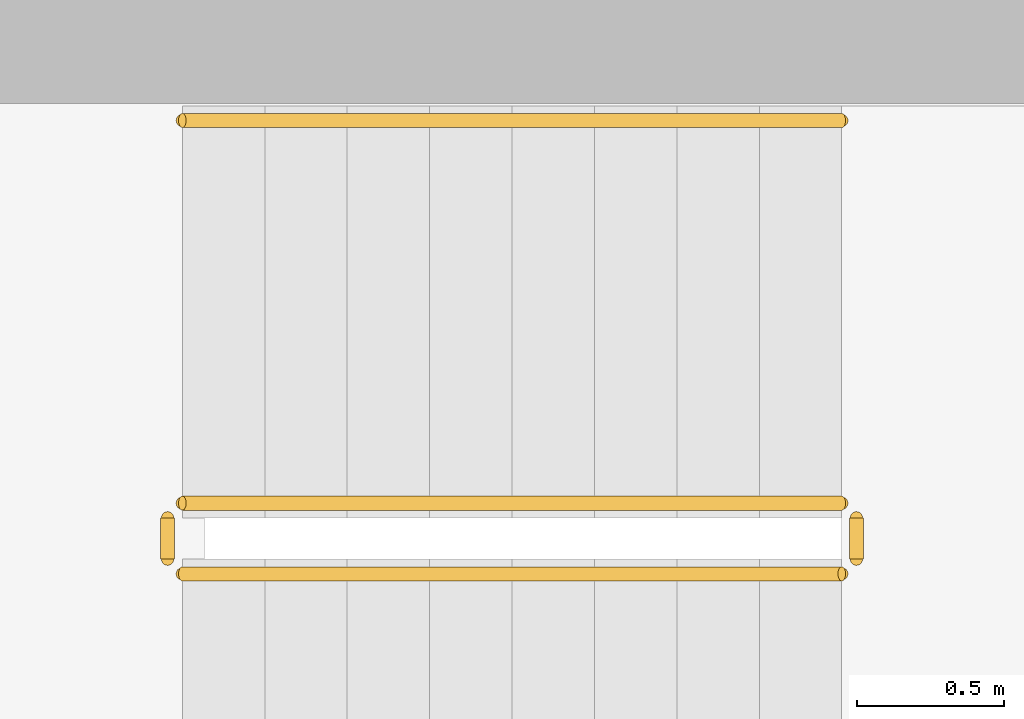
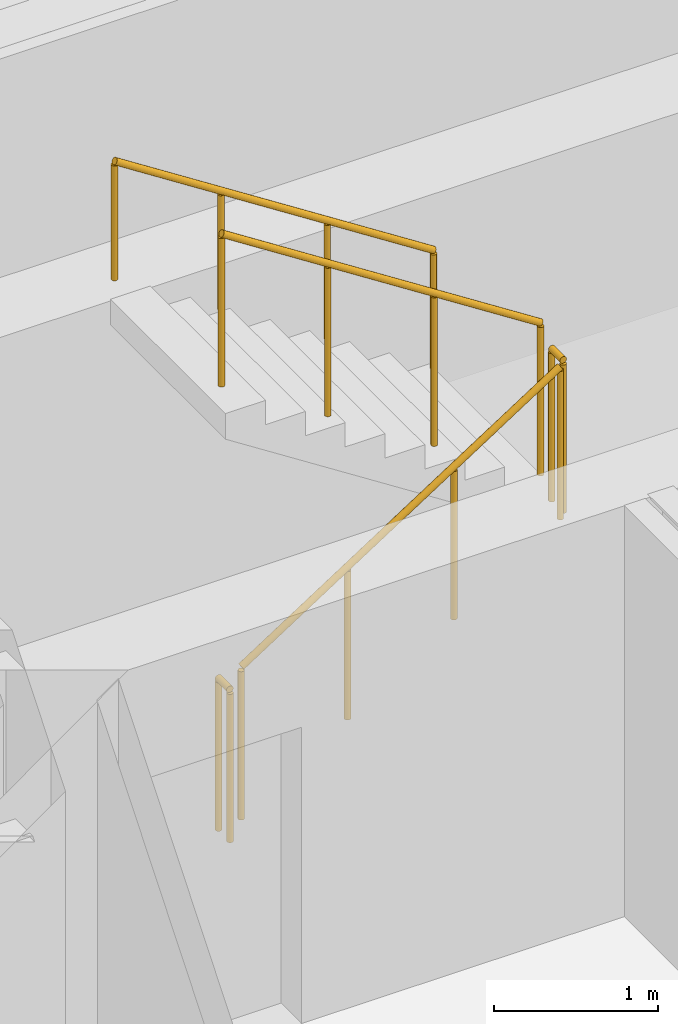
# One storey, part 22 of 26: 5 railings.
"""IFC4 building model written with IfcOpenShell, lengths in metres."""

from ifc_helpers import new_model, si_unit, direction, frame, origin, origin_2d, place, context, subcontext, project, spatial, circle, extrude, material, type_object, element, save


model = new_model("IFC4")

# Units and contexts
model_context = context("Model", 3, precision=1e-05, world=origin(), true_north=direction((0.0, 1.0)))
body_context = subcontext(model_context, "Body", "Model", "MODEL_VIEW")
ifc_project = project(units=[si_unit("LENGTHUNIT", "METRE"), si_unit("AREAUNIT", "SQUARE_METRE"), si_unit("VOLUMEUNIT", "CUBIC_METRE"), si_unit("PLANEANGLEUNIT", "RADIAN"), si_unit("MASSUNIT", "GRAM", prefix="KILO")], contexts=[model_context])

# Site, building, storey
site_placement = place(None, origin())
site = spatial("IfcSite", under=ifc_project, at=site_placement, CompositionType="ELEMENT")
building_placement = place(site_placement, origin())
building = spatial("IfcBuilding", under=site, at=building_placement, Name="Mirazonda Arch Towers", CompositionType="ELEMENT")
storey_placement = place(building_placement, frame((0.0, 0.0, 203.14990234375)))
storey = spatial("IfcBuildingStorey", under=building, at=storey_placement, Name="L58", CompositionType="ELEMENT", Elevation=203.14990234375)

# Railings
ifc_material = material(Name="Architectural Brushed Steel S355", Category="steel")
railing_type_1 = type_object("IfcRailingType", Name="GUARD-STAIR-1120", PredefinedType="GUARDRAIL", material=ifc_material)
railing_1_placement = place(storey_placement, frame((13.85009765625, 39.169921875, 0.1806640625)))
element("IfcRailing", 1, at=railing_1_placement, inside=storey, type_object=railing_type_1, Name="L58 ST-T1N stair guard 1", PredefinedType="GUARDRAIL", context=body_context, shape_type="SweptSolid", body=[
    extrude(circle(Radius=0.02392578125, at=origin_2d()), frame((0.0, 0.0, 1.1259765625), z_axis=(0.840436612492, 0.0, 0.541909863706), x_axis=(0.0, 1.0, 0.0)), (0.0, 0.0, 1.0), 2.665283203125),
    extrude(circle(Radius=0.02099609375, at=origin_2d()), origin(), (0.0, 0.0, 1.0), 1.101806640625),
    extrude(circle(Radius=0.02099609375, at=origin_2d()), frame((0.74658203125, 0.0, 0.4814453125)), (0.0, 0.0, 1.0), 1.101806640625),
    extrude(circle(Radius=0.02099609375, at=origin_2d()), frame((1.493408203125, 0.0, 0.962890625)), (0.0, 0.0, 1.0), 1.101806640625),
    extrude(circle(Radius=0.02099609375, at=origin_2d()), frame((2.239990234375, 0.0, 1.4443359375)), (0.0, 0.0, 1.0), 1.101806640625),
])
railing_2_placement = place(storey_placement, frame((16.139892578125, 39.219970703125, 1.625)))
element("IfcRailing", 2, at=railing_2_placement, inside=storey, type_object=railing_type_1, Name="L58 ST-T1N stair guard 2", PredefinedType="GUARDRAIL", context=body_context, shape_type="SweptSolid", body=[
    extrude(circle(Radius=0.02392578125, at=origin_2d()), frame((0.0, 0.0, 1.1259765625), z_axis=(0.0, 1.0, 0.0), x_axis=(-1.0, 0.0, 0.0)), (0.0, 0.0, 1.0), 0.14013671875),
    extrude(circle(Radius=0.02099609375, at=origin_2d()), origin(), (0.0, 0.0, 1.0), 1.101806640625),
    extrude(circle(Radius=0.02099609375, at=origin_2d()), frame((0.0, 0.14013671875, 0.0)), (0.0, 0.0, 1.0), 1.101806640625),
])
railing_3_placement = place(storey_placement, frame((16.090087890625, 39.409912109375, 1.8056640625)))
element("IfcRailing", 3, at=railing_3_placement, inside=storey, type_object=railing_type_1, Name="L58 ST-T1N stair guard 3", PredefinedType="GUARDRAIL", context=body_context, shape_type="SweptSolid", body=[
    extrude(circle(Radius=0.02392578125, at=origin_2d()), frame((0.0, 0.0, 1.1259765625), z_axis=(-0.840436612492, 0.0, 0.541909863706), x_axis=(0.0, -1.0, 0.0)), (0.0, 0.0, 1.0), 2.665283203125),
    extrude(circle(Radius=0.02099609375, at=origin_2d()), origin(), (0.0, 0.0, 1.0), 1.101806640625),
    extrude(circle(Radius=0.02099609375, at=origin_2d()), frame((-0.74658203125, 0.0, 0.4814453125)), (0.0, 0.0, 1.0), 1.101806640625),
    extrude(circle(Radius=0.02099609375, at=origin_2d()), frame((-1.493408203125, 0.0, 0.962890625)), (0.0, 0.0, 1.0), 1.101806640625),
    extrude(circle(Radius=0.02099609375, at=origin_2d()), frame((-2.239990234375, 0.0, 1.4443359375)), (0.0, 0.0, 1.0), 1.101806640625),
])
railing_4_placement = place(storey_placement, frame((13.800048828125, 39.219970703125, 0.0)))
element("IfcRailing", 4, at=railing_4_placement, inside=storey, type_object=railing_type_1, Name="L58 ST-T1N stair guard 4", PredefinedType="GUARDRAIL", context=body_context, shape_type="SweptSolid", body=[
    extrude(circle(Radius=0.02392578125, at=origin_2d()), frame((0.0, 0.0, 1.1259765625), z_axis=(0.0, 1.0, 0.0), x_axis=(-1.0, 0.0, 0.0)), (0.0, 0.0, 1.0), 0.14013671875),
    extrude(circle(Radius=0.02099609375, at=origin_2d()), origin(), (0.0, 0.0, 1.0), 1.101806640625),
    extrude(circle(Radius=0.02099609375, at=origin_2d()), frame((0.0, 0.14013671875, 0.0)), (0.0, 0.0, 1.0), 1.101806640625),
])
railing_type_2 = type_object("IfcRailingType", Name="HANDRAIL-915", PredefinedType="HANDRAIL", material=ifc_material)
railing_5_placement = place(storey_placement, frame((16.090087890625, 40.7099609375, 1.8056640625)))
element("IfcRailing", 5, at=railing_5_placement, inside=storey, type_object=railing_type_2, Name="L58 ST-T1N stair handrail 2", PredefinedType="HANDRAIL", context=body_context, shape_type="SweptSolid", body=[
    extrude(circle(Radius=0.02392578125, at=origin_2d()), frame((0.0, 0.0, 0.8759765625), z_axis=(-0.840436612492, 0.0, 0.541909863706), x_axis=(0.0, -1.0, 0.0)), (0.0, 0.0, 1.0), 2.665283203125),
    extrude(circle(Radius=0.02099609375, at=origin_2d()), origin(), (0.0, 0.0, 1.0), 0.851806640625),
    extrude(circle(Radius=0.02099609375, at=origin_2d()), frame((-0.74658203125, 0.0, 0.4814453125)), (0.0, 0.0, 1.0), 0.851806640625),
    extrude(circle(Radius=0.02099609375, at=origin_2d()), frame((-1.493408203125, 0.0, 0.962890625)), (0.0, 0.0, 1.0), 0.851806640625),
    extrude(circle(Radius=0.02099609375, at=origin_2d()), frame((-2.239990234375, 0.0, 1.4443359375)), (0.0, 0.0, 1.0), 0.851806640625),
])

save(model, "model.ifc")
